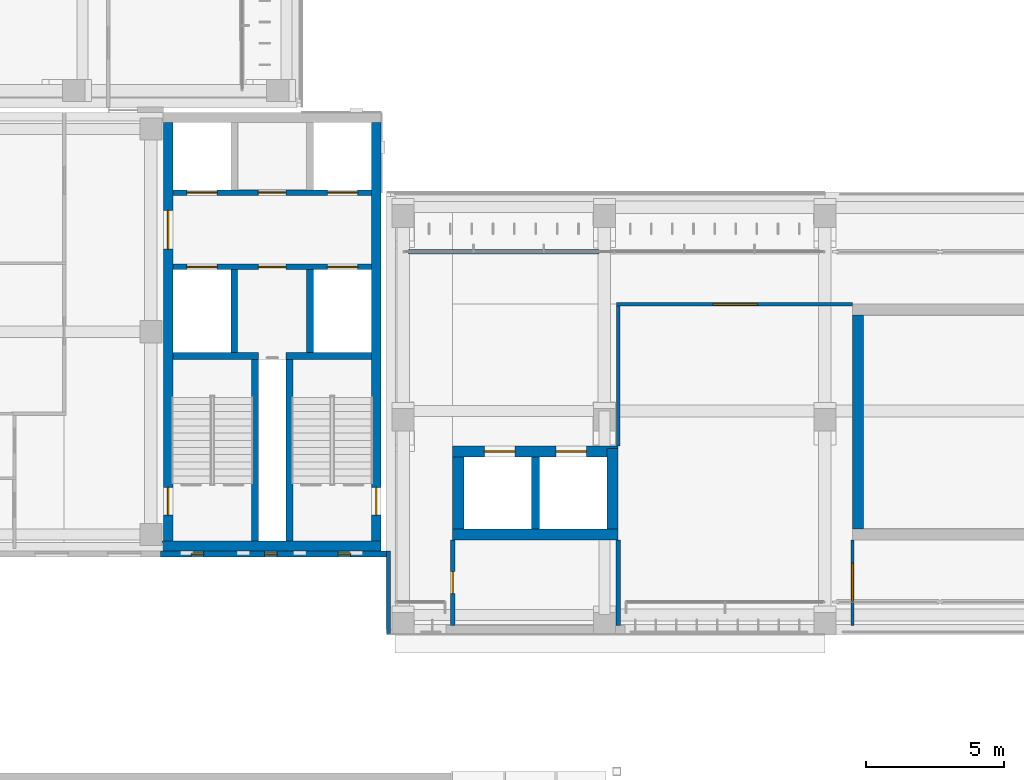
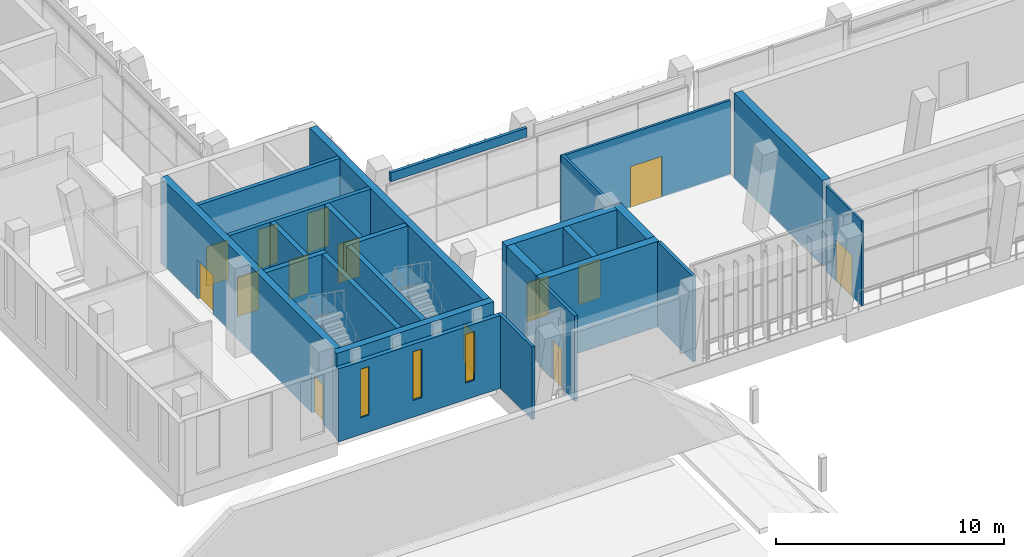
# One storey, part 58 of 89: 25 walls, 14 doors, 3 windows, 17 openings.
"""IFC4 building model written with IfcOpenShell, lengths in metres."""

from ifc_helpers import new_model, si_unit, direction, frame, frame_2d, origin, place, context, subcontext, project, spatial, rectangle, extrude, material, layer, layer_set, type_object, element, fill, save


model = new_model("IFC4")

# Units and contexts
model_context = context("Model", 3, precision=1e-05, world=origin(), true_north=direction((0.0, 1.0)))
body_context = subcontext(model_context, "Body", "Model", "MODEL_VIEW")
ifc_project = project(units=[si_unit("LENGTHUNIT", "METRE"), si_unit("AREAUNIT", "SQUARE_METRE"), si_unit("VOLUMEUNIT", "CUBIC_METRE"), si_unit("PLANEANGLEUNIT", "RADIAN"), si_unit("MASSUNIT", "GRAM", prefix="KILO")], contexts=[model_context])

# Site, building, storey
site_placement = place(None, origin())
site = spatial("IfcSite", under=ifc_project, at=site_placement, CompositionType="ELEMENT")
building_placement = place(site_placement, origin())
building = spatial("IfcBuilding", under=site, at=building_placement, Name="Lantern Court Media Centre", CompositionType="ELEMENT")
storey_placement = place(building_placement, frame((0.0, 0.0, 14.39990234375)))
storey = spatial("IfcBuildingStorey", under=building, at=storey_placement, Name="L03", CompositionType="ELEMENT", Elevation=14.39990234375)

# Wall
ifc_material_1 = material(Name="Gypsum board partition")
ifc_layer_1 = layer(ifc_material_1, 0.125)
ifc_layer_set_1 = layer_set([ifc_layer_1], Name="Gypsum board partition")
wall_type_1 = type_object("IfcWallType", Name="Corridor partition 125", PredefinedType="PARTITIONING", material=ifc_layer_set_1)
wall_1_placement = place(storey_placement, frame((32.5, 51.800048828125, 0.0), z_axis=(0.0, 0.0, 1.0), x_axis=(0.0, 1.0, 0.0)))
element("IfcWall", 1, at=wall_1_placement, inside=storey, type_object=wall_type_1, Name="L03 partition 006", PredefinedType="PARTITIONING", context=body_context, shape_type="SweptSolid", body=[
    extrude(rectangle(XDim=5.08740234375, YDim=0.125, at=frame_2d((2.543701171875, 0.0))), origin(), (0.0, 0.0, 1.0), 4.080078125),
])

# Wall, opening, door
wall_2_placement = place(storey_placement, frame((32.4375, 56.949951171875, 0.0), z_axis=(0.0, 0.0, 1.0), x_axis=(1.0, 0.0, 0.0)))
wall_2 = element("IfcWall", 2, at=wall_2_placement, inside=storey, type_object=wall_type_1, Name="L03 partition 011", PredefinedType="PARTITIONING", context=body_context, shape_type="SweptSolid", body=[
    extrude(rectangle(XDim=8.5625, YDim=0.125, at=frame_2d((4.28125, 0.0))), origin(), (0.0, 0.0, 1.0), 3.97998046875),
])
opening_1_placement = place(wall_2_placement, frame((3.512451171875, 0.0, 0.0)))
opening_1 = element("IfcOpeningElement", 3, at=opening_1_placement, cuts=wall_2, Name="Opening L03-005", PredefinedType="OPENING", context=body_context, shape_type="SweptSolid", body=[
    extrude(rectangle(XDim=1.60009765625, YDim=2.199951171875, at=frame_2d((0.800048828125, 1.10009765625))), frame((0.0, 0.072509765625, 0.0), z_axis=(0.0, -1.0, 0.0), x_axis=(1.0, 0.0, 0.0)), (0.0, 0.0, 1.0), 0.14501953125),
])
ifc_material_2 = material(Name="Solid-core timber door leaf", Category="wood")
door_type_1 = type_object("IfcDoorType", Name="Double door 1600x2200", OperationType="NOTDEFINED", PredefinedType="DOOR", material=ifc_material_2)
door_1_placement = place(opening_1_placement, frame((1.60009765625, 0.0, 0.0), z_axis=(0.0, 0.0, 1.0), x_axis=(-1.0, 0.0, 0.0)))
door_1 = element("IfcDoor", 4, at=door_1_placement, inside=storey, type_object=door_type_1, Name="L03 Media Library Reading Room 03 door", OperationType="DOUBLE_DOOR_SINGLE_SWING", OverallHeight=2.199951171875, OverallWidth=1.60009765625, PredefinedType="DOOR", context=body_context, shape_type="SweptSolid", body=[
    extrude(rectangle(XDim=1.60009765625, YDim=2.199951171875, at=frame_2d((0.800048828125, 1.10009765625))), frame((0.0, 0.02490234375, 0.0), z_axis=(0.0, -1.0, 0.0), x_axis=(1.0, 0.0, 0.0)), (0.0, 0.0, 1.0), 0.050048828125),
])
fill(opening_1, door_1)

# Wall, openings, doors
ifc_material_3 = material(Name="Concrete C40", Category="concrete")
ifc_layer_2 = layer(ifc_material_3, 0.199951171875)
ifc_layer_set_2 = layer_set([ifc_layer_2], Name="Concrete C40")
wall_type_2 = type_object("IfcWallType", Name="Fire lobby wall 200", PredefinedType="SOLIDWALL", material=ifc_layer_set_2)
wall_3_placement = place(storey_placement, frame((16.35009765625, 58.300048828125, 0.0), z_axis=(0.0, 0.0, 1.0), x_axis=(1.0, 0.0, 0.0)))
wall_3 = element("IfcWall", 5, at=wall_3_placement, inside=storey, type_object=wall_type_2, Name="L03 SW FW1", PredefinedType="SOLIDWALL", context=body_context, shape_type="SweptSolid", body=[
    extrude(rectangle(XDim=7.199951171875, YDim=0.199951171875, at=frame_2d((3.60009765625, 0.0))), origin(), (0.0, 0.0, 1.0), 4.550048828125),
])
opening_2_placement = place(wall_3_placement, frame((0.5, 0.0, 0.0)))
opening_2 = element("IfcOpeningElement", 6, at=opening_2_placement, cuts=wall_3, Name="Opening LD-SWFF-L03", PredefinedType="OPENING", context=body_context, shape_type="SweptSolid", body=[
    extrude(rectangle(XDim=1.10009765625, YDim=2.10009765625, at=frame_2d((0.550048828125, 1.050048828125))), frame((0.0, 0.10986328125, 0.0), z_axis=(0.0, -1.0, 0.0), x_axis=(1.0, 0.0, 0.0)), (0.0, 0.0, 1.0), 0.219970703125),
])
opening_3_placement = place(wall_3_placement, frame((5.60009765625, 0.0, 0.0)))
opening_3 = element("IfcOpeningElement", 7, at=opening_3_placement, cuts=wall_3, Name="Opening LD-SWP1-L03", PredefinedType="OPENING", context=body_context, shape_type="SweptSolid", body=[
    extrude(rectangle(XDim=1.10009765625, YDim=2.10009765625, at=frame_2d((0.550048828125, 1.050048828125))), frame((0.0, 0.10986328125, 0.0), z_axis=(0.0, -1.0, 0.0), x_axis=(1.0, 0.0, 0.0)), (0.0, 0.0, 1.0), 0.219970703125),
])
opening_4_placement = place(wall_3_placement, frame((3.10009765625, 0.0, 0.0)))
opening_4 = element("IfcOpeningElement", 8, at=opening_4_placement, cuts=wall_3, Name="Opening SW-L03-03", PredefinedType="OPENING", context=body_context, shape_type="SweptSolid", body=[
    extrude(rectangle(XDim=1.0, YDim=2.10009765625, at=frame_2d((0.5, 1.050048828125))), frame((0.0, 0.10986328125, 0.0), z_axis=(0.0, -1.0, 0.0), x_axis=(1.0, 0.0, 0.0)), (0.0, 0.0, 1.0), 0.219970703125),
])
ifc_material_4 = material(Name="Steel door leaf", Category="steel")
door_type_2 = type_object("IfcDoorType", Name="Lift landing door 1100x2100", OperationType="DOUBLE_DOOR_SLIDING", PredefinedType="DOOR", material=ifc_material_4)
door_2_placement = place(opening_2_placement, origin())
door_2 = element("IfcDoor", 9, at=door_2_placement, inside=storey, type_object=door_type_2, Name="L03 SW lift FF landing door", OperationType="DOUBLE_DOOR_SLIDING", OverallHeight=2.10009765625, OverallWidth=1.10009765625, PredefinedType="DOOR", context=body_context, shape_type="SweptSolid", body=[
    extrude(rectangle(XDim=1.10009765625, YDim=2.10009765625, at=frame_2d((0.550048828125, 1.050048828125))), frame((0.0, 0.02490234375, 0.0), z_axis=(0.0, -1.0, 0.0), x_axis=(1.0, 0.0, 0.0)), (0.0, 0.0, 1.0), 0.050048828125),
])
fill(opening_2, door_2)
door_3_placement = place(opening_3_placement, origin())
door_3 = element("IfcDoor", 10, at=door_3_placement, inside=storey, type_object=door_type_2, Name="L03 SW lift P1 landing door", OperationType="DOUBLE_DOOR_SLIDING", OverallHeight=2.10009765625, OverallWidth=1.10009765625, PredefinedType="DOOR", context=body_context, shape_type="SweptSolid", body=[
    extrude(rectangle(XDim=1.10009765625, YDim=2.10009765625, at=frame_2d((0.550048828125, 1.050048828125))), frame((0.0, 0.02490234375, 0.0), z_axis=(0.0, -1.0, 0.0), x_axis=(1.0, 0.0, 0.0)), (0.0, 0.0, 1.0), 0.050048828125),
])
fill(opening_3, door_3)
door_type_3 = type_object("IfcDoorType", Name="Service door 1000x2100", OperationType="NOTDEFINED", PredefinedType="DOOR", material=ifc_material_4)
door_4_placement = place(opening_4_placement, origin())
door_4 = element("IfcDoor", 11, at=door_4_placement, inside=storey, type_object=door_type_3, Name="L03 SW services riser door", OperationType="SINGLE_SWING_LEFT", OverallHeight=2.10009765625, OverallWidth=1.0, PredefinedType="DOOR", context=body_context, shape_type="SweptSolid", body=[
    extrude(rectangle(XDim=1.0, YDim=2.10009765625, at=frame_2d((0.5, 1.050048828125))), frame((0.0, 0.02490234375, 0.0), z_axis=(0.0, -1.0, 0.0), x_axis=(1.0, 0.0, 0.0)), (0.0, 0.0, 1.0), 0.050048828125),
])
fill(opening_4, door_4)

wall_4_placement = place(storey_placement, frame((16.35009765625, 61.0, 0.0), z_axis=(0.0, 0.0, 1.0), x_axis=(1.0, 0.0, 0.0)))
wall_4 = element("IfcWall", 12, at=wall_4_placement, inside=storey, type_object=wall_type_2, Name="L03 SW FW2", PredefinedType="SOLIDWALL", context=body_context, shape_type="SweptSolid", body=[
    extrude(rectangle(XDim=7.199951171875, YDim=0.199951171875, at=frame_2d((3.60009765625, 0.0))), origin(), (0.0, 0.0, 1.0), 4.550048828125),
])
opening_5_placement = place(wall_4_placement, frame((0.5, 0.0, 0.0)))
opening_5 = element("IfcOpeningElement", 13, at=opening_5_placement, cuts=wall_4, Name="Opening LD-SWP2-L03", PredefinedType="OPENING", context=body_context, shape_type="SweptSolid", body=[
    extrude(rectangle(XDim=1.10009765625, YDim=2.10009765625, at=frame_2d((0.550048828125, 1.050048828125))), frame((0.0, 0.10986328125, 0.0), z_axis=(0.0, -1.0, 0.0), x_axis=(1.0, 0.0, 0.0)), (0.0, 0.0, 1.0), 0.219970703125),
])
opening_6_placement = place(wall_4_placement, frame((5.60009765625, 0.0, 0.0)))
opening_6 = element("IfcOpeningElement", 14, at=opening_6_placement, cuts=wall_4, Name="Opening LD-SWP3-L03", PredefinedType="OPENING", context=body_context, shape_type="SweptSolid", body=[
    extrude(rectangle(XDim=1.10009765625, YDim=2.10009765625, at=frame_2d((0.550048828125, 1.050048828125))), frame((0.0, 0.10986328125, 0.0), z_axis=(0.0, -1.0, 0.0), x_axis=(1.0, 0.0, 0.0)), (0.0, 0.0, 1.0), 0.219970703125),
])
opening_7_placement = place(wall_4_placement, frame((3.10009765625, 0.0, 0.0)))
opening_7 = element("IfcOpeningElement", 15, at=opening_7_placement, cuts=wall_4, Name="Opening SW-L03-04", PredefinedType="OPENING", context=body_context, shape_type="SweptSolid", body=[
    extrude(rectangle(XDim=1.0, YDim=2.10009765625, at=frame_2d((0.5, 1.050048828125))), frame((0.0, 0.10986328125, 0.0), z_axis=(0.0, -1.0, 0.0), x_axis=(1.0, 0.0, 0.0)), (0.0, 0.0, 1.0), 0.219970703125),
])
door_5_placement = place(opening_5_placement, frame((1.10009765625, 0.0, 0.0), z_axis=(0.0, 0.0, 1.0), x_axis=(-1.0, 0.0, 0.0)))
door_5 = element("IfcDoor", 16, at=door_5_placement, inside=storey, type_object=door_type_2, Name="L03 SW lift P2 landing door", OperationType="DOUBLE_DOOR_SLIDING", OverallHeight=2.10009765625, OverallWidth=1.10009765625, PredefinedType="DOOR", context=body_context, shape_type="SweptSolid", body=[
    extrude(rectangle(XDim=1.10009765625, YDim=2.10009765625, at=frame_2d((0.550048828125, 1.050048828125))), frame((0.0, 0.02490234375, 0.0), z_axis=(0.0, -1.0, 0.0), x_axis=(1.0, 0.0, 0.0)), (0.0, 0.0, 1.0), 0.050048828125),
])
fill(opening_5, door_5)
door_6_placement = place(opening_6_placement, frame((1.10009765625, 0.0, 0.0), z_axis=(0.0, 0.0, 1.0), x_axis=(-1.0, 0.0, 0.0)))
door_6 = element("IfcDoor", 17, at=door_6_placement, inside=storey, type_object=door_type_2, Name="L03 SW lift P3 landing door", OperationType="DOUBLE_DOOR_SLIDING", OverallHeight=2.10009765625, OverallWidth=1.10009765625, PredefinedType="DOOR", context=body_context, shape_type="SweptSolid", body=[
    extrude(rectangle(XDim=1.10009765625, YDim=2.10009765625, at=frame_2d((0.550048828125, 1.050048828125))), frame((0.0, 0.02490234375, 0.0), z_axis=(0.0, -1.0, 0.0), x_axis=(1.0, 0.0, 0.0)), (0.0, 0.0, 1.0), 0.050048828125),
])
fill(opening_6, door_6)
door_7_placement = place(opening_7_placement, frame((1.0, 0.0, 0.0), z_axis=(0.0, 0.0, 1.0), x_axis=(-1.0, 0.0, 0.0)))
door_7 = element("IfcDoor", 18, at=door_7_placement, inside=storey, type_object=door_type_3, Name="L03 SW accessible WC door", OperationType="SINGLE_SWING_RIGHT", OverallHeight=2.10009765625, OverallWidth=1.0, PredefinedType="DOOR", context=body_context, shape_type="SweptSolid", body=[
    extrude(rectangle(XDim=1.0, YDim=2.10009765625, at=frame_2d((0.5, 1.050048828125))), frame((0.0, 0.02490234375, 0.0), z_axis=(0.0, -1.0, 0.0), x_axis=(1.0, 0.0, 0.0)), (0.0, 0.0, 1.0), 0.050048828125),
])
fill(opening_7, door_7)

# Walls
ifc_material_5 = material(Name="Insulated rendered blockwork", Category="masonry")
ifc_layer_3 = layer(ifc_material_5, 0.14990234375)
ifc_layer_set_3 = layer_set([ifc_layer_3], Name="Insulated rendered blockwork")
wall_type_3 = type_object("IfcWallType", Name="Head infill wall 150", PredefinedType="SOLIDWALL", material=ifc_layer_set_3)
wall_5_placement = place(storey_placement, frame((24.89990234375, 58.85009765625, 4.10009765625), z_axis=(0.0, 0.0, 1.0), x_axis=(1.0, 0.0, 0.0)))
element("IfcWall", 19, at=wall_5_placement, inside=storey, type_object=wall_type_3, Name="Head infill wall S inner L03", PredefinedType="SOLIDWALL", context=body_context, shape_type="SweptSolid", body=[
    extrude(rectangle(XDim=6.900146484375, YDim=0.14990234375, at=frame_2d((3.4501953125, 0.0))), origin(), (0.0, 0.0, 1.0), 0.47998046875),
])
ifc_material_6 = material(Name="Honed limestone cladding on blockwork", Category="masonry")
ifc_layer_4 = layer(ifc_material_6, 0.139892578125)
ifc_layer_set_4 = layer_set([ifc_layer_4], Name="Honed limestone cladding on blockwork")
wall_type_4 = type_object("IfcWallType", Name="Limestone closure wall 140", PredefinedType="SOLIDWALL", material=ifc_layer_set_4)
wall_6_placement = place(storey_placement, frame((24.169921875, 45.0, 0.0), z_axis=(0.0, 0.0, 1.0), x_axis=(0.0, 1.0, 0.0)))
element("IfcWall", 20, at=wall_6_placement, inside=storey, type_object=wall_type_4, Name="Limestone closure wall S-SW L03", PredefinedType="SOLIDWALL", context=body_context, shape_type="SweptSolid", body=[
    extrude(rectangle(XDim=3.0, YDim=0.139892578125, at=frame_2d((1.5, 0.0))), origin(), (0.0, 0.0, 1.0), 3.900146484375),
])

# Wall, openings, windows
ifc_material_7 = material(Name="Honed limestone cladding on blockwork, reduced to 220 where it passes the core wall", Category="masonry")
ifc_layer_5 = layer(ifc_material_7, 0.219970703125)
ifc_layer_set_5 = layer_set([ifc_layer_5], Name="Honed limestone cladding on blockwork, reduced to 220 where it passes the core wall")
wall_type_5 = type_object("IfcWallType", Name="Limestone skin wall 220", PredefinedType="SOLIDWALL", material=ifc_layer_set_5)
wall_7_placement = place(storey_placement, frame((15.89990234375, 47.889892578125, 0.0), z_axis=(0.0, 0.0, 1.0), x_axis=(1.0, 0.0, 0.0)))
wall_7 = element("IfcWall", 21, at=wall_7_placement, inside=storey, type_object=wall_type_5, Name="Limestone wall SW S L03", PredefinedType="SOLIDWALL", context=body_context, shape_type="SweptSolid", body=[
    extrude(rectangle(XDim=8.2001953125, YDim=0.219970703125, at=frame_2d((4.10009765625, 0.0))), origin(), (0.0, 0.0, 1.0), 3.900146484375),
])
opening_8_placement = place(wall_7_placement, frame((1.1083984375, 0.0, 0.89990234375)))
opening_8 = element("IfcOpeningElement", 22, at=opening_8_placement, cuts=wall_7, Name="Opening WN-S", PredefinedType="OPENING", context=body_context, shape_type="SweptSolid", body=[
    extrude(rectangle(XDim=0.449951171875, YDim=2.60009765625, at=frame_2d((0.22509765625, 1.300048828125))), frame((0.0, 0.119873046875, 0.0), z_axis=(0.0, -1.0, 0.0), x_axis=(1.0, 0.0, 0.0)), (0.0, 0.0, 1.0), 0.239990234375),
])
opening_9_placement = place(wall_7_placement, frame((3.77490234375, 0.0, 0.89990234375)))
opening_9 = element("IfcOpeningElement", 23, at=opening_9_placement, cuts=wall_7, Name="Opening WN-S", PredefinedType="OPENING", context=body_context, shape_type="SweptSolid", body=[
    extrude(rectangle(XDim=0.449951171875, YDim=2.60009765625, at=frame_2d((0.22509765625, 1.300048828125))), frame((0.0, 0.119873046875, 0.0), z_axis=(0.0, -1.0, 0.0), x_axis=(1.0, 0.0, 0.0)), (0.0, 0.0, 1.0), 0.239990234375),
])
opening_10_placement = place(wall_7_placement, frame((6.441650390625, 0.0, 0.89990234375)))
opening_10 = element("IfcOpeningElement", 24, at=opening_10_placement, cuts=wall_7, Name="Opening WN-S", PredefinedType="OPENING", context=body_context, shape_type="SweptSolid", body=[
    extrude(rectangle(XDim=0.449951171875, YDim=2.60009765625, at=frame_2d((0.22509765625, 1.300048828125))), frame((0.0, 0.119873046875, 0.0), z_axis=(0.0, -1.0, 0.0), x_axis=(1.0, 0.0, 0.0)), (0.0, 0.0, 1.0), 0.239990234375),
])
ifc_material_8 = material(Name="Anodised aluminium and glass", Category="aluminium")
window_type = type_object("IfcWindowType", Name="Stair slit window 450x2600", PartitioningType="SINGLE_PANEL", PredefinedType="WINDOW", material=ifc_material_8)
window_1_placement = place(opening_8_placement, origin())
window_1 = element("IfcWindow", 25, at=window_1_placement, inside=storey, type_object=window_type, Name="Window SW S L03", OverallHeight=2.60009765625, OverallWidth=0.449951171875, PartitioningType="SINGLE_PANEL", PredefinedType="WINDOW", context=body_context, shape_type="SweptSolid", body=[
    extrude(rectangle(XDim=0.449951171875, YDim=2.60009765625, at=frame_2d((0.22509765625, 1.300048828125))), frame((0.0, 0.030029296875, 0.0), z_axis=(0.0, -1.0, 0.0), x_axis=(1.0, 0.0, 0.0)), (0.0, 0.0, 1.0), 0.06005859375),
])
fill(opening_8, window_1)
window_2_placement = place(opening_9_placement, origin())
window_2 = element("IfcWindow", 26, at=window_2_placement, inside=storey, type_object=window_type, Name="Window SW S L03", OverallHeight=2.60009765625, OverallWidth=0.449951171875, PartitioningType="SINGLE_PANEL", PredefinedType="WINDOW", context=body_context, shape_type="SweptSolid", body=[
    extrude(rectangle(XDim=0.449951171875, YDim=2.60009765625, at=frame_2d((0.22509765625, 1.300048828125))), frame((0.0, 0.030029296875, 0.0), z_axis=(0.0, -1.0, 0.0), x_axis=(1.0, 0.0, 0.0)), (0.0, 0.0, 1.0), 0.06005859375),
])
fill(opening_9, window_2)
window_3_placement = place(opening_10_placement, origin())
window_3 = element("IfcWindow", 27, at=window_3_placement, inside=storey, type_object=window_type, Name="Window SW S L03", OverallHeight=2.60009765625, OverallWidth=0.449951171875, PartitioningType="SINGLE_PANEL", PredefinedType="WINDOW", context=body_context, shape_type="SweptSolid", body=[
    extrude(rectangle(XDim=0.449951171875, YDim=2.60009765625, at=frame_2d((0.22509765625, 1.300048828125))), frame((0.0, 0.030029296875, 0.0), z_axis=(0.0, -1.0, 0.0), x_axis=(1.0, 0.0, 0.0)), (0.0, 0.0, 1.0), 0.06005859375),
])
fill(opening_10, window_3)

# Wall, opening, door
ifc_layer_6 = layer(ifc_material_1, 0.10009765625)
ifc_layer_set_6 = layer_set([ifc_layer_6], Name="Gypsum board partition")
wall_type_6 = type_object("IfcWallType", Name="Partition 100", PredefinedType="PARTITIONING", material=ifc_layer_set_6)
wall_8_placement = place(storey_placement, frame((41.0, 45.300048828125, 0.0), z_axis=(0.0, 0.0, 1.0), x_axis=(0.0, 1.0, 0.0)))
wall_8 = element("IfcWall", 28, at=wall_8_placement, inside=storey, type_object=wall_type_6, Name="L03 partition 009", PredefinedType="PARTITIONING", context=body_context, shape_type="SweptSolid", body=[
    extrude(rectangle(XDim=3.099853515625, YDim=0.10009765625, at=frame_2d((1.5498046875, 0.0))), origin(), (0.0, 0.0, 1.0), 4.56005859375),
])
opening_11_placement = place(wall_8_placement, frame((0.85009765625, 0.0, 0.0)))
opening_11 = element("IfcOpeningElement", 29, at=opening_11_placement, cuts=wall_8, Name="Opening L03-004", PredefinedType="OPENING", context=body_context, shape_type="SweptSolid", body=[
    extrude(rectangle(XDim=1.39990234375, YDim=2.199951171875, at=frame_2d((0.699951171875, 1.10009765625))), frame((0.0, 0.06005859375, 0.0), z_axis=(0.0, -1.0, 0.0), x_axis=(1.0, 0.0, 0.0)), (0.0, 0.0, 1.0), 0.1201171875),
])
door_type_4 = type_object("IfcDoorType", Name="Double door 1400x2200", OperationType="NOTDEFINED", PredefinedType="DOOR", material=ifc_material_2)
door_8_placement = place(opening_11_placement, frame((1.39990234375, 0.0, 0.0), z_axis=(0.0, 0.0, 1.0), x_axis=(-1.0, 0.0, 0.0)))
door_8 = element("IfcDoor", 30, at=door_8_placement, inside=storey, type_object=door_type_4, Name="L03 Reading Carrels door", OperationType="DOUBLE_DOOR_SINGLE_SWING", OverallHeight=2.199951171875, OverallWidth=1.39990234375, PredefinedType="DOOR", context=body_context, shape_type="SweptSolid", body=[
    extrude(rectangle(XDim=1.39990234375, YDim=2.199951171875, at=frame_2d((0.699951171875, 1.10009765625))), frame((0.0, 0.02490234375, 0.0), z_axis=(0.0, -1.0, 0.0), x_axis=(1.0, 0.0, 0.0)), (0.0, 0.0, 1.0), 0.050048828125),
])
fill(opening_11, door_8)

# Wall
ifc_layer_7 = layer(ifc_material_3, 0.35009765625)
ifc_layer_set_7 = layer_set([ifc_layer_7], Name="Concrete C40")
wall_type_7 = type_object("IfcWallType", Name="RC CORE WALL 350", PredefinedType="SHEAR", material=ifc_layer_set_7)
wall_9_placement = place(storey_placement, frame((15.949951171875, 48.175048828125, 0.0), z_axis=(0.0, 0.0, 1.0), x_axis=(1.0, 0.0, 0.0)))
element("IfcWall", 31, at=wall_9_placement, inside=storey, type_object=wall_type_7, Name="WC-SW-L03-S", PredefinedType="SHEAR", context=body_context, shape_type="SweptSolid", body=[
    extrude(rectangle(XDim=7.949951171875, YDim=0.35009765625, at=frame_2d((3.97509765625, 0.0))), origin(), (0.0, 0.0, 1.0), 4.580078125),
])

# Wall, openings, doors
wall_10_placement = place(storey_placement, frame((16.175048828125, 48.35009765625, 0.0), z_axis=(0.0, 0.0, 1.0), x_axis=(0.0, 1.0, 0.0)))
wall_10 = element("IfcWall", 32, at=wall_10_placement, inside=storey, type_object=wall_type_7, Name="WC-SW-L03-W", PredefinedType="SHEAR", context=body_context, shape_type="SweptSolid", body=[
    extrude(rectangle(XDim=15.199951171875, YDim=0.35009765625, at=frame_2d((7.60009765625, 0.0))), origin(), (0.0, 0.0, 1.0), 4.580078125),
])
opening_12_placement = place(wall_10_placement, frame((0.949951171875, 0.0, 0.0)))
opening_12 = element("IfcOpeningElement", 33, at=opening_12_placement, cuts=wall_10, Name="Opening SW-L03-01", PredefinedType="OPENING", context=body_context, shape_type="SweptSolid", body=[
    extrude(rectangle(XDim=1.0, YDim=2.10009765625, at=frame_2d((0.5, 1.050048828125))), frame((0.0, 0.18505859375, 0.0), z_axis=(0.0, -1.0, 0.0), x_axis=(1.0, 0.0, 0.0)), (0.0, 0.0, 1.0), 0.3701171875),
])
opening_13_placement = place(wall_10_placement, frame((10.60009765625, 0.0, 0.0)))
opening_13 = element("IfcOpeningElement", 34, at=opening_13_placement, cuts=wall_10, Name="Opening SW-L03-05", PredefinedType="OPENING", context=body_context, shape_type="SweptSolid", body=[
    extrude(rectangle(XDim=1.39990234375, YDim=2.10009765625, at=frame_2d((0.699951171875, 1.050048828125))), frame((0.0, 0.18505859375, 0.0), z_axis=(0.0, -1.0, 0.0), x_axis=(1.0, 0.0, 0.0)), (0.0, 0.0, 1.0), 0.3701171875),
])
door_type_5 = type_object("IfcDoorType", Name="Lift lobby double door 1400x2100", OperationType="NOTDEFINED", PredefinedType="DOOR", material=ifc_material_4)
door_9_placement = place(opening_13_placement, origin())
door_9 = element("IfcDoor", 35, at=door_9_placement, inside=storey, type_object=door_type_5, Name="L03 SW lift lobby west door", OperationType="SINGLE_SWING_LEFT", OverallHeight=2.10009765625, OverallWidth=1.39990234375, PredefinedType="DOOR", context=body_context, shape_type="SweptSolid", body=[
    extrude(rectangle(XDim=1.39990234375, YDim=2.10009765625, at=frame_2d((0.699951171875, 1.050048828125))), frame((0.0, 0.02490234375, 0.0), z_axis=(0.0, -1.0, 0.0), x_axis=(1.0, 0.0, 0.0)), (0.0, 0.0, 1.0), 0.050048828125),
])
fill(opening_13, door_9)
door_type_6 = type_object("IfcDoorType", Name="Stair door 1000x2100", OperationType="NOTDEFINED", PredefinedType="DOOR", material=ifc_material_4)
door_10_placement = place(opening_12_placement, origin())
door_10 = element("IfcDoor", 36, at=door_10_placement, inside=storey, type_object=door_type_6, Name="L03 SW stair A door", OperationType="SINGLE_SWING_LEFT", OverallHeight=2.10009765625, OverallWidth=1.0, PredefinedType="DOOR", context=body_context, shape_type="SweptSolid", body=[
    extrude(rectangle(XDim=1.0, YDim=2.10009765625, at=frame_2d((0.5, 1.050048828125))), frame((0.0, 0.02490234375, 0.0), z_axis=(0.0, -1.0, 0.0), x_axis=(1.0, 0.0, 0.0)), (0.0, 0.0, 1.0), 0.050048828125),
])
fill(opening_12, door_10)

# Wall, opening, door
wall_11_placement = place(storey_placement, frame((23.72509765625, 48.35009765625, 0.0), z_axis=(0.0, 0.0, 1.0), x_axis=(0.0, 1.0, 0.0)))
wall_11 = element("IfcWall", 37, at=wall_11_placement, inside=storey, type_object=wall_type_7, Name="WC-SW-L03-E", PredefinedType="SHEAR", context=body_context, shape_type="SweptSolid", body=[
    extrude(rectangle(XDim=15.199951171875, YDim=0.35009765625, at=frame_2d((7.60009765625, 0.0))), origin(), (0.0, 0.0, 1.0), 4.580078125),
])
opening_14_placement = place(wall_11_placement, frame((0.949951171875, 0.0, 0.0)))
opening_14 = element("IfcOpeningElement", 38, at=opening_14_placement, cuts=wall_11, Name="Opening SW-L03-02", PredefinedType="OPENING", context=body_context, shape_type="SweptSolid", body=[
    extrude(rectangle(XDim=1.0, YDim=2.10009765625, at=frame_2d((0.5, 1.050048828125))), frame((0.0, 0.18505859375, 0.0), z_axis=(0.0, -1.0, 0.0), x_axis=(1.0, 0.0, 0.0)), (0.0, 0.0, 1.0), 0.3701171875),
])
door_11_placement = place(opening_14_placement, frame((1.0, 0.0, 0.0), z_axis=(0.0, 0.0, 1.0), x_axis=(-1.0, 0.0, 0.0)))
door_11 = element("IfcDoor", 39, at=door_11_placement, inside=storey, type_object=door_type_6, Name="L03 SW stair B door", OperationType="SINGLE_SWING_RIGHT", OverallHeight=2.10009765625, OverallWidth=1.0, PredefinedType="DOOR", context=body_context, shape_type="SweptSolid", body=[
    extrude(rectangle(XDim=1.0, YDim=2.10009765625, at=frame_2d((0.5, 1.050048828125))), frame((0.0, 0.02490234375, 0.0), z_axis=(0.0, -1.0, 0.0), x_axis=(1.0, 0.0, 0.0)), (0.0, 0.0, 1.0), 0.050048828125),
])
fill(opening_14, door_11)

# Walls
ifc_layer_8 = layer(ifc_material_3, 0.300048828125)
ifc_layer_set_8 = layer_set([ifc_layer_8], Name="Concrete C40")
wall_type_8 = type_object("IfcWallType", Name="RC SHEAR WALL 300", PredefinedType="SHEAR", material=ifc_layer_set_8)
wall_12_placement = place(storey_placement, frame((29.5, 48.800048828125, 0.0), z_axis=(0.0, 0.0, 1.0), x_axis=(0.0, 1.0, 0.0)))
element("IfcWall", 40, at=wall_12_placement, inside=storey, type_object=wall_type_8, Name="WB-S-LC1-L03-D", PredefinedType="SHEAR", context=body_context, shape_type="SweptSolid", body=[
    extrude(rectangle(XDim=2.599853515625, YDim=0.300048828125, at=frame_2d((1.2998046875, 0.0))), origin(), (0.0, 0.0, 1.0), 4.580078125),
])
ifc_layer_9 = layer(ifc_material_3, 0.39990234375)
ifc_layer_set_9 = layer_set([ifc_layer_9], Name="Concrete C40")
wall_type_9 = type_object("IfcWallType", Name="RC SHEAR WALL 400", PredefinedType="SHEAR", material=ifc_layer_set_9)
wall_13_placement = place(storey_placement, frame((26.5, 48.60009765625, 0.0), z_axis=(0.0, 0.0, 1.0), x_axis=(1.0, 0.0, 0.0)))
element("IfcWall", 41, at=wall_13_placement, inside=storey, type_object=wall_type_9, Name="WB-S-LC1-L03-S", PredefinedType="SHEAR", context=body_context, shape_type="SweptSolid", body=[
    extrude(rectangle(XDim=6.0, YDim=0.39990234375, at=frame_2d((3.0, 0.0))), origin(), (0.0, 0.0, 1.0), 4.580078125),
])

# Wall, openings, doors
wall_14_placement = place(storey_placement, frame((26.5, 51.60009765625, 0.0), z_axis=(0.0, 0.0, 1.0), x_axis=(1.0, 0.0, 0.0)))
wall_14 = element("IfcWall", 42, at=wall_14_placement, inside=storey, type_object=wall_type_9, Name="WB-S-LC1-L03-N", PredefinedType="SHEAR", context=body_context, shape_type="SweptSolid", body=[
    extrude(rectangle(XDim=6.0, YDim=0.39990234375, at=frame_2d((3.0, 0.0))), origin(), (0.0, 0.0, 1.0), 4.580078125),
])
opening_15_placement = place(wall_14_placement, frame((1.14990234375, 0.0, 0.0)))
opening_15 = element("IfcOpeningElement", 43, at=opening_15_placement, cuts=wall_14, Name="Opening LD-S-LC1P-L03", PredefinedType="OPENING", context=body_context, shape_type="SweptSolid", body=[
    extrude(rectangle(XDim=1.10009765625, YDim=2.10009765625, at=frame_2d((0.550048828125, 1.050048828125))), frame((0.0, 0.2099609375, 0.0), z_axis=(0.0, -1.0, 0.0), x_axis=(1.0, 0.0, 0.0)), (0.0, 0.0, 1.0), 0.419921875),
])
opening_16_placement = place(wall_14_placement, frame((3.75, 0.0, 0.0)))
opening_16 = element("IfcOpeningElement", 44, at=opening_16_placement, cuts=wall_14, Name="Opening LD-S-LC1S-L03", PredefinedType="OPENING", context=body_context, shape_type="SweptSolid", body=[
    extrude(rectangle(XDim=1.10009765625, YDim=2.10009765625, at=frame_2d((0.550048828125, 1.050048828125))), frame((0.0, 0.2099609375, 0.0), z_axis=(0.0, -1.0, 0.0), x_axis=(1.0, 0.0, 0.0)), (0.0, 0.0, 1.0), 0.419921875),
])
door_12_placement = place(opening_15_placement, origin())
door_12 = element("IfcDoor", 45, at=door_12_placement, inside=storey, type_object=door_type_2, Name="L03 S-LC1 passenger lift landing door", OperationType="DOUBLE_DOOR_SLIDING", OverallHeight=2.10009765625, OverallWidth=1.10009765625, PredefinedType="DOOR", context=body_context, shape_type="SweptSolid", body=[
    extrude(rectangle(XDim=1.10009765625, YDim=2.10009765625, at=frame_2d((0.550048828125, 1.050048828125))), frame((0.0, 0.02490234375, 0.0), z_axis=(0.0, -1.0, 0.0), x_axis=(1.0, 0.0, 0.0)), (0.0, 0.0, 1.0), 0.050048828125),
])
fill(opening_15, door_12)
door_13_placement = place(opening_16_placement, origin())
door_13 = element("IfcDoor", 46, at=door_13_placement, inside=storey, type_object=door_type_2, Name="L03 S-LC1 service lift landing door", OperationType="DOUBLE_DOOR_SLIDING", OverallHeight=2.10009765625, OverallWidth=1.10009765625, PredefinedType="DOOR", context=body_context, shape_type="SweptSolid", body=[
    extrude(rectangle(XDim=1.10009765625, YDim=2.10009765625, at=frame_2d((0.550048828125, 1.050048828125))), frame((0.0, 0.02490234375, 0.0), z_axis=(0.0, -1.0, 0.0), x_axis=(1.0, 0.0, 0.0)), (0.0, 0.0, 1.0), 0.050048828125),
])
fill(opening_16, door_13)

# Walls
wall_15_placement = place(storey_placement, frame((26.699951171875, 48.800048828125, 0.0), z_axis=(0.0, 0.0, 1.0), x_axis=(0.0, 1.0, 0.0)))
element("IfcWall", 47, at=wall_15_placement, inside=storey, type_object=wall_type_9, Name="WB-S-LC1-L03-W", PredefinedType="SHEAR", context=body_context, shape_type="SweptSolid", body=[
    extrude(rectangle(XDim=2.599853515625, YDim=0.39990234375, at=frame_2d((1.2998046875, 0.0))), origin(), (0.0, 0.0, 1.0), 4.580078125),
])
wall_16_placement = place(storey_placement, frame((32.300048828125, 48.800048828125, 0.0), z_axis=(0.0, 0.0, 1.0), x_axis=(0.0, 1.0, 0.0)))
element("IfcWall", 48, at=wall_16_placement, inside=storey, type_object=wall_type_9, Name="WB-S-LC1-L03-E", PredefinedType="SHEAR", context=body_context, shape_type="SweptSolid", body=[
    extrude(rectangle(XDim=2.908203125, YDim=0.39990234375, at=frame_2d((1.4541015625, 0.0))), origin(), (0.0, 0.0, 1.0), 4.580078125),
])
wall_17_placement = place(storey_placement, frame((41.199951171875, 48.800048828125, 0.0), z_axis=(0.0, 0.0, 1.0), x_axis=(0.0, 1.0, 0.0)))
element("IfcWall", 49, at=wall_17_placement, inside=storey, type_object=wall_type_9, Name="WB-S-STK-L03-W", PredefinedType="SHEAR", context=body_context, shape_type="SweptSolid", body=[
    extrude(rectangle(XDim=7.75, YDim=0.39990234375, at=frame_2d((3.875, 0.0))), origin(), (0.0, 0.0, 1.0), 4.580078125),
])
ifc_layer_10 = layer(ifc_material_3, 0.25)
ifc_layer_set_10 = layer_set([ifc_layer_10], Name="Concrete C40")
wall_type_10 = type_object("IfcWallType", Name="RC lift shaft wall 250", PredefinedType="SOLIDWALL", material=ifc_layer_set_10)
for number, where, z_axis, x_axis, name in (
    (50, (18.574951171875, 55.199951171875, 0.0), (0.0, 0.0, 1.0), (0.0, 1.0, 0.0), "L03 SW L1a"),
    (51, (21.324951171875, 55.199951171875, 0.0), (0.0, 0.0, 1.0), (0.0, 1.0, 0.0), "L03 SW L2a"),
):
    element("IfcWall", number, at=place(storey_placement, frame(where, z_axis=z_axis, x_axis=x_axis)), inside=storey, type_object=wall_type_10, Name=name, PredefinedType="SOLIDWALL", context=body_context, shape_type="SweptSolid", body=[
        extrude(rectangle(XDim=3.0, YDim=0.25, at=frame_2d((1.5, 0.0))), origin(), (0.0, 0.0, 1.0), 4.550048828125),
    ])
ifc_layer_11 = layer(ifc_material_3, 0.25)
ifc_layer_set_11 = layer_set([ifc_layer_11], Name="Concrete C40")
wall_type_11 = type_object("IfcWallType", Name="RC stair shaft wall 250", PredefinedType="SOLIDWALL", material=ifc_layer_set_11)
for number, where, z_axis, x_axis, name in (
    (52, (19.324951171875, 48.35009765625, 0.0), (0.0, 0.0, 1.0), (0.0, 1.0, 0.0), "L03 SW SA"),
    (53, (20.574951171875, 48.35009765625, 0.0), (0.0, 0.0, 1.0), (0.0, 1.0, 0.0), "L03 SW SB"),
):
    element("IfcWall", number, at=place(storey_placement, frame(where, z_axis=z_axis, x_axis=x_axis)), inside=storey, type_object=wall_type_11, Name=name, PredefinedType="SOLIDWALL", context=body_context, shape_type="SweptSolid", body=[
        extrude(rectangle(XDim=6.599853515625, YDim=0.25, at=frame_2d((3.2998046875, 0.0))), origin(), (0.0, 0.0, 1.0), 4.550048828125),
    ])
wall_18_placement = place(storey_placement, frame((16.35009765625, 55.074951171875, 0.0), z_axis=(0.0, 0.0, 1.0), x_axis=(1.0, 0.0, 0.0)))
element("IfcWall", 54, at=wall_18_placement, inside=storey, type_object=wall_type_11, Name="L03 SW SN1", PredefinedType="SOLIDWALL", context=body_context, shape_type="SweptSolid", body=[
    extrude(rectangle(XDim=3.099853515625, YDim=0.25, at=frame_2d((1.5498046875, 0.0))), origin(), (0.0, 0.0, 1.0), 4.550048828125),
])
wall_19_placement = place(storey_placement, frame((20.449951171875, 55.074951171875, 0.0), z_axis=(0.0, 0.0, 1.0), x_axis=(1.0, 0.0, 0.0)))
element("IfcWall", 55, at=wall_19_placement, inside=storey, type_object=wall_type_11, Name="L03 SW SN2", PredefinedType="SOLIDWALL", context=body_context, shape_type="SweptSolid", body=[
    extrude(rectangle(XDim=3.10009765625, YDim=0.25, at=frame_2d((1.550048828125, 0.0))), origin(), (0.0, 0.0, 1.0), 4.550048828125),
])

# Wall, opening, door
ifc_material_9 = material(Name="Fire-rated gypsum board")
ifc_layer_12 = layer(ifc_material_9, 0.159912109375)
ifc_layer_set_12 = layer_set([ifc_layer_12], Name="Fire-rated gypsum board")
wall_type_12 = type_object("IfcWallType", Name="Riser shaft liner wall 160", PredefinedType="PARTITIONING", material=ifc_layer_set_12)
wall_20_placement = place(storey_placement, frame((26.5, 45.300048828125, 0.0), z_axis=(0.0, 0.0, 1.0), x_axis=(0.0, 1.0, 0.0)))
wall_20 = element("IfcWall", 56, at=wall_20_placement, inside=storey, type_object=wall_type_12, Name="L03 partition 000", PredefinedType="PARTITIONING", context=body_context, shape_type="SweptSolid", body=[
    extrude(rectangle(XDim=3.099853515625, YDim=0.159912109375, at=frame_2d((1.5498046875, 0.0))), origin(), (0.0, 0.0, 1.0), 4.56005859375),
])
opening_17_placement = place(wall_20_placement, frame((1.14990234375, 0.0, 0.0)))
opening_17 = element("IfcOpeningElement", 57, at=opening_17_placement, cuts=wall_20, Name="Opening L03-001", PredefinedType="OPENING", context=body_context, shape_type="SweptSolid", body=[
    extrude(rectangle(XDim=0.800048828125, YDim=2.10009765625, at=frame_2d((0.39990234375, 1.050048828125))), frame((0.0, 0.08984375, 0.0), z_axis=(0.0, -1.0, 0.0), x_axis=(1.0, 0.0, 0.0)), (0.0, 0.0, 1.0), 0.179931640625),
])
door_type_7 = type_object("IfcDoorType", Name="Riser access fire door 800x2100", OperationType="NOTDEFINED", PredefinedType="DOOR", material=ifc_material_4)
door_14_placement = place(opening_17_placement, frame((0.800048828125, 0.0, 0.0), z_axis=(0.0, 0.0, 1.0), x_axis=(-1.0, 0.0, 0.0)))
door_14 = element("IfcDoor", 58, at=door_14_placement, inside=storey, type_object=door_type_7, Name="L03 Services Duct door", OperationType="SINGLE_SWING_RIGHT", OverallHeight=2.10009765625, OverallWidth=0.800048828125, PredefinedType="DOOR", context=body_context, shape_type="SweptSolid", body=[
    extrude(rectangle(XDim=0.800048828125, YDim=2.10009765625, at=frame_2d((0.39990234375, 1.050048828125))), frame((0.0, 0.02490234375, 0.0), z_axis=(0.0, -1.0, 0.0), x_axis=(1.0, 0.0, 0.0)), (0.0, 0.0, 1.0), 0.050048828125),
])
fill(opening_17, door_14)

# Wall
wall_21_placement = place(storey_placement, frame((32.5, 45.300048828125, 0.0), z_axis=(0.0, 0.0, 1.0), x_axis=(0.0, 1.0, 0.0)))
element("IfcWall", 59, at=wall_21_placement, inside=storey, type_object=wall_type_12, Name="L03 partition 005", PredefinedType="PARTITIONING", context=body_context, shape_type="SweptSolid", body=[
    extrude(rectangle(XDim=3.099853515625, YDim=0.159912109375, at=frame_2d((1.5498046875, 0.0))), origin(), (0.0, 0.0, 1.0), 4.56005859375),
])

save(model, "model.ifc")
